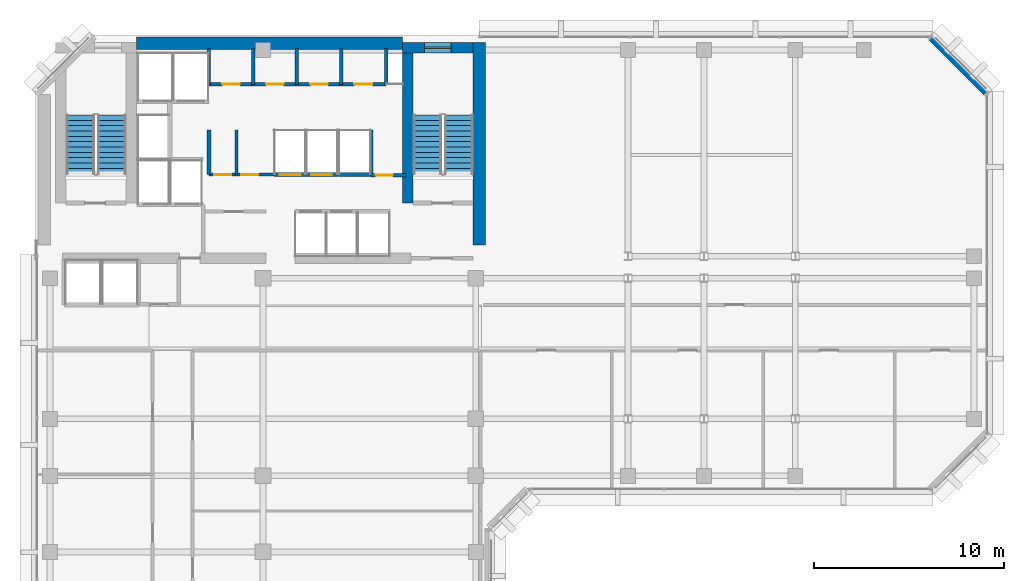
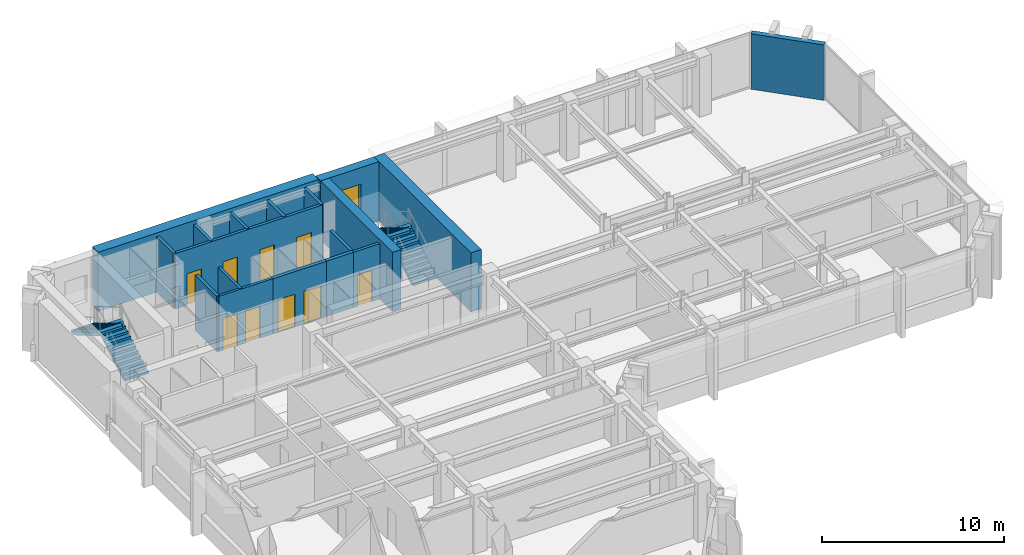
# One storey, part 8 of 12: 18 walls, 9 doors, 4 stair flights, 1 window, 10 openings, 2 elements without a shape of their own.
"""IFC4 building model written with IfcOpenShell, lengths in metres."""

from ifc_helpers import new_model, si_unit, direction, frame, frame_2d, origin, place, context, subcontext, project, spatial, polyline, rectangle, outline, extrude, material, layer, layer_set, type_object, element, fill, aggregate, save


model = new_model("IFC4")

# Units and contexts
model_context = context("Model", 3, precision=1e-05, world=origin(), true_north=direction((0.0, 1.0)))
body_context = subcontext(model_context, "Body", "Model", "MODEL_VIEW")
ifc_project = project(units=[si_unit("LENGTHUNIT", "METRE"), si_unit("AREAUNIT", "SQUARE_METRE"), si_unit("VOLUMEUNIT", "CUBIC_METRE"), si_unit("PLANEANGLEUNIT", "RADIAN"), si_unit("MASSUNIT", "GRAM", prefix="KILO")], contexts=[model_context])

# Site, building, storey
site_placement = place(None, origin())
site = spatial("IfcSite", under=ifc_project, at=site_placement, CompositionType="ELEMENT")
building_placement = place(site_placement, origin())
building = spatial("IfcBuilding", under=site, at=building_placement, Name="Kefirva Bronze Tower", CompositionType="ELEMENT")
storey_placement = place(building_placement, frame((0.0, 0.0, 195.360107421875)))
storey = spatial("IfcBuildingStorey", under=building, at=storey_placement, Name="L47", CompositionType="ELEMENT", Elevation=195.360107421875)

# Walls
ifc_material_1 = material(Name="Gypsum fireboard shaftwall")
ifc_layer_1 = layer(ifc_material_1, 0.219970703125, Name="Gypsum fireboard shaftwall")
ifc_layer_set_1 = layer_set([ifc_layer_1], Name="Gypsum fireboard shaftwall")
wall_type_1 = type_object("IfcWallType", Name="Fire-Rated Shaft Enclosure Wall 220mm", PredefinedType="PARTITIONING", material=ifc_layer_set_1)
for number, where, z_axis, x_axis, name in (
    (1, (9.159912109375, 38.64990234375, 0.0), (0.0, 0.0, 1.0), (0.0, 1.0, 0.0), "L47 Partition W-L47-LP3W"),
    (2, (17.679931640625, 38.64990234375, 0.0), (0.0, 0.0, 1.0), (0.0, 1.0, 0.0), "L47 Partition W-L47-HP2E"),
):
    element("IfcWall", number, at=place(storey_placement, frame(where, z_axis=z_axis, x_axis=x_axis)), inside=storey, type_object=wall_type_1, Name=name, PredefinedType="PARTITIONING", context=body_context, shape_type="SweptSolid", body=[
        extrude(rectangle(XDim=2.35009765625, YDim=0.199951171875, at=frame_2d((1.175048828125, 0.0))), origin(), (0.0, 0.0, 1.0), 3.7099609375),
    ])

# Wall, openings, doors
wall_1_placement = place(storey_placement, frame((12.580078125, 38.64990234375, 0.0), z_axis=(0.0, 0.0, 1.0), x_axis=(1.0, 0.0, 0.0)))
wall_1 = element("IfcWall", 3, at=wall_1_placement, inside=storey, type_object=wall_type_1, Name="L47 Partition W-L47-MPN", PredefinedType="PARTITIONING", context=body_context, shape_type="SweptSolid", body=[
    extrude(rectangle(XDim=3.3798828125, YDim=0.219970703125, at=frame_2d((1.68994140625, 0.0))), origin(), (0.0, 0.0, 1.0), 3.7099609375),
])
opening_1_placement = place(wall_1_placement, frame((0.300048828125, 0.0, 0.0)))
opening_1 = element("IfcOpeningElement", 4, at=opening_1_placement, cuts=wall_1, Name="Opening L47-LD-MP3", PredefinedType="OPENING", context=body_context, shape_type="SweptSolid", body=[
    extrude(rectangle(XDim=1.10009765625, YDim=2.199951171875, at=frame_2d((0.550048828125, 1.10009765625))), frame((0.0, 0.1201171875, 0.0), z_axis=(0.0, -1.0, 0.0), x_axis=(1.0, 0.0, 0.0)), (0.0, 0.0, 1.0), 0.239990234375),
])
opening_2_placement = place(wall_1_placement, frame((1.949951171875, 0.0, 0.0)))
opening_2 = element("IfcOpeningElement", 5, at=opening_2_placement, cuts=wall_1, Name="Opening L47-LD-MP4", PredefinedType="OPENING", context=body_context, shape_type="SweptSolid", body=[
    extrude(rectangle(XDim=1.10009765625, YDim=2.199951171875, at=frame_2d((0.550048828125, 1.10009765625))), frame((0.0, 0.1201171875, 0.0), z_axis=(0.0, -1.0, 0.0), x_axis=(1.0, 0.0, 0.0)), (0.0, 0.0, 1.0), 0.239990234375),
])
ifc_material_2 = material(Name="Stainless steel 316", Category="steel")
door_type_1 = type_object("IfcDoorType", Name="Passenger Lift Sliding Landing Door 1100x2200", OperationType="SLIDING_TO_LEFT", PredefinedType="DOOR", material=ifc_material_2)
door_1_placement = place(opening_1_placement, origin())
door_1 = element("IfcDoor", 6, at=door_1_placement, inside=storey, type_object=door_type_1, Name="Door L47-LD-MP3", OperationType="SLIDING_TO_RIGHT", OverallHeight=2.199951171875, OverallWidth=1.10009765625, PredefinedType="DOOR", context=body_context, shape_type="SweptSolid", body=[
    extrude(rectangle(XDim=1.10009765625, YDim=2.199951171875, at=frame_2d((0.550048828125, 1.10009765625))), frame((0.0, 0.02490234375, 0.0), z_axis=(0.0, -1.0, 0.0), x_axis=(1.0, 0.0, 0.0)), (0.0, 0.0, 1.0), 0.050048828125),
])
fill(opening_1, door_1)
door_2_placement = place(opening_2_placement, origin())
door_2 = element("IfcDoor", 7, at=door_2_placement, inside=storey, type_object=door_type_1, Name="Door L47-LD-MP4", OperationType="SLIDING_TO_RIGHT", OverallHeight=2.199951171875, OverallWidth=1.10009765625, PredefinedType="DOOR", context=body_context, shape_type="SweptSolid", body=[
    extrude(rectangle(XDim=1.10009765625, YDim=2.199951171875, at=frame_2d((0.550048828125, 1.10009765625))), frame((0.0, 0.02490234375, 0.0), z_axis=(0.0, -1.0, 0.0), x_axis=(1.0, 0.0, 0.0)), (0.0, 0.0, 1.0), 0.050048828125),
])
fill(opening_2, door_2)

# Wall
wall_2_placement = place(storey_placement, frame((15.97998046875, 38.64990234375, 0.0), z_axis=(0.0, 0.0, 1.0), x_axis=(1.0, 0.0, 0.0)))
element("IfcWall", 8, at=wall_2_placement, inside=storey, type_object=wall_type_1, Name="L47 Partition W-L47-HPN", PredefinedType="PARTITIONING", context=body_context, shape_type="SweptSolid", body=[
    extrude(rectangle(XDim=1.719970703125, YDim=0.219970703125, at=frame_2d((0.85986328125, 0.0))), origin(), (0.0, 0.0, 1.0), 3.7099609375),
])

# Wall, opening, door
ifc_material_3 = material(Name="Gypsum fireboard barrier")
ifc_layer_2 = layer(ifc_material_3, 0.199951171875, Name="Gypsum fireboard barrier")
ifc_layer_set_2 = layer_set([ifc_layer_2], Name="Gypsum fireboard barrier")
wall_type_2 = type_object("IfcWallType", Name="Firefighting Lobby Barrier Wall 200mm", PredefinedType="PARTITIONING", material=ifc_layer_set_2)
wall_3_placement = place(storey_placement, frame((17.679931640625, 38.6201171875, 0.0), z_axis=(0.0, 0.0, 1.0), x_axis=(1.0, 0.0, 0.0)))
wall_3 = element("IfcWall", 9, at=wall_3_placement, inside=storey, type_object=wall_type_2, Name="L47 Partition W-L47-CPASS", PredefinedType="PARTITIONING", context=body_context, shape_type="SweptSolid", body=[
    extrude(rectangle(XDim=1.840087890625, YDim=0.179931640625, at=frame_2d((0.919921875, 0.0))), origin(), (0.0, 0.0, 1.0), 3.7099609375),
])
opening_3_placement = place(wall_3_placement, frame((0.239990234375, 0.0, 0.0)))
opening_3 = element("IfcOpeningElement", 10, at=opening_3_placement, cuts=wall_3, Name="Opening L47-D-CPAS", PredefinedType="OPENING", context=body_context, shape_type="SweptSolid", body=[
    extrude(rectangle(XDim=0.919921875, YDim=2.10009765625, at=frame_2d((0.4599609375, 1.050048828125))), frame((0.0, 0.10009765625, 0.0), z_axis=(0.0, -1.0, 0.0), x_axis=(1.0, 0.0, 0.0)), (0.0, 0.0, 1.0), 0.199951171875),
])
ifc_material_4 = material(Name="Moisture-resistant timber", Category="wood")
door_type_2 = type_object("IfcDoorType", Name="Accessible Sanitary & WC Door 920x2100", OperationType="NOTDEFINED", PredefinedType="DOOR", material=ifc_material_4)
door_3_placement = place(opening_3_placement, origin())
door_3 = element("IfcDoor", 11, at=door_3_placement, inside=storey, type_object=door_type_2, Name="Door L47-D-CPAS", OperationType="SINGLE_SWING_LEFT", OverallHeight=2.10009765625, OverallWidth=0.919921875, PredefinedType="DOOR", context=body_context, shape_type="SweptSolid", body=[
    extrude(rectangle(XDim=0.919921875, YDim=2.10009765625, at=frame_2d((0.4599609375, 1.050048828125))), frame((0.0, 0.02490234375, 0.0), z_axis=(0.0, -1.0, 0.0), x_axis=(1.0, 0.0, 0.0)), (0.0, 0.0, 1.0), 0.050048828125),
])
fill(opening_3, door_3)

# Wall
ifc_material_5 = material(Name="Precast concrete C40/50", Category="concrete")
ifc_layer_3 = layer(ifc_material_5, 0.320068359375, Name="Precast concrete C40/50")
ifc_layer_set_3 = layer_set([ifc_layer_3], Name="Precast concrete C40/50")
wall_type_3 = type_object("IfcWallType", Name="Precast Insulated Exterior Wall 320mm", PredefinedType="SOLIDWALL", material=ifc_layer_set_3)
wall_4_placement = place(storey_placement, frame((50.048095703125, 42.92578125, 0.0), z_axis=(0.0, 0.0, 1.0), x_axis=(-0.707136318428, 0.707077242712, 0.0)))
element("IfcWall", 12, at=wall_4_placement, inside=storey, type_object=wall_type_3, Name="L47 Exterior Facade Wall 5", PredefinedType="SOLIDWALL", context=body_context, shape_type="SweptSolid", body=[
    extrude(rectangle(XDim=4.132568359375, YDim=0.320068359375, at=frame_2d((2.06640625, 0.0))), origin(), (0.0, 0.0, 1.0), 3.7099609375),
])

# Wall, openings, doors
ifc_material_6 = material(Name="Gypsum acoustic partition")
ifc_layer_4 = layer(ifc_material_6, 0.159912109375, Name="Gypsum acoustic partition")
ifc_layer_set_4 = layer_set([ifc_layer_4], Name="Gypsum acoustic partition")
wall_type_4 = type_object("IfcWallType", Name="Protected Corridor Partition 160mm", PredefinedType="PARTITIONING", material=ifc_layer_set_4)
wall_5_placement = place(storey_placement, frame((9.159912109375, 38.64990234375, 0.0), z_axis=(0.0, 0.0, 1.0), x_axis=(1.0, 0.0, 0.0)))
wall_5 = element("IfcWall", 13, at=wall_5_placement, inside=storey, type_object=wall_type_4, Name="L47 Partition W-L47-RECLP2", PredefinedType="PARTITIONING", context=body_context, shape_type="SweptSolid", body=[
    extrude(rectangle(XDim=3.420166015625, YDim=0.159912109375, at=frame_2d((1.7099609375, 0.0))), origin(), (0.0, 0.0, 1.0), 3.7099609375),
])
opening_4_placement = place(wall_5_placement, frame((1.179931640625, 0.0, 0.0), z_axis=(0.0, 0.0, 1.0), x_axis=(-1.0, 0.0, 0.0)))
opening_4 = element("IfcOpeningElement", 14, at=opening_4_placement, cuts=wall_5, Name="Opening L47-D-RECLP2A", PredefinedType="OPENING", context=body_context, shape_type="SweptSolid", body=[
    extrude(rectangle(XDim=0.89990234375, YDim=2.14990234375, at=frame_2d((0.449951171875, 1.074951171875))), frame((0.0, 0.08984375, 0.0), z_axis=(0.0, -1.0, 0.0), x_axis=(1.0, 0.0, 0.0)), (0.0, 0.0, 1.0), 0.179931640625),
])
opening_5_placement = place(wall_5_placement, frame((2.599853515625, 0.0, 0.0), z_axis=(0.0, 0.0, 1.0), x_axis=(-1.0, 0.0, 0.0)))
opening_5 = element("IfcOpeningElement", 15, at=opening_5_placement, cuts=wall_5, Name="Opening L47-D-RECLP2B", PredefinedType="OPENING", context=body_context, shape_type="SweptSolid", body=[
    extrude(rectangle(XDim=0.89990234375, YDim=2.14990234375, at=frame_2d((0.449951171875, 1.074951171875))), frame((0.0, 0.08984375, 0.0), z_axis=(0.0, -1.0, 0.0), x_axis=(1.0, 0.0, 0.0)), (0.0, 0.0, 1.0), 0.179931640625),
])
ifc_material_7 = material(Name="Painted galvanized steel", Category="steel")
door_type_3 = type_object("IfcDoorType", Name="Core Archive & Server Fire Door 900x2150 FD60S", OperationType="NOTDEFINED", PredefinedType="DOOR", material=ifc_material_7)
door_4_placement = place(opening_4_placement, origin())
door_4 = element("IfcDoor", 16, at=door_4_placement, inside=storey, type_object=door_type_3, Name="Door L47-D-RECLP2A", OperationType="SINGLE_SWING_RIGHT", OverallHeight=2.14990234375, OverallWidth=0.89990234375, PredefinedType="DOOR", context=body_context, shape_type="SweptSolid", body=[
    extrude(rectangle(XDim=0.89990234375, YDim=2.14990234375, at=frame_2d((0.449951171875, 1.074951171875))), frame((0.0, 0.02490234375, 0.0), z_axis=(0.0, -1.0, 0.0), x_axis=(1.0, 0.0, 0.0)), (0.0, 0.0, 1.0), 0.050048828125),
])
fill(opening_4, door_4)
door_5_placement = place(opening_5_placement, origin())
door_5 = element("IfcDoor", 17, at=door_5_placement, inside=storey, type_object=door_type_3, Name="Door L47-D-RECLP2B", OperationType="SINGLE_SWING_LEFT", OverallHeight=2.14990234375, OverallWidth=0.89990234375, PredefinedType="DOOR", context=body_context, shape_type="SweptSolid", body=[
    extrude(rectangle(XDim=0.89990234375, YDim=2.14990234375, at=frame_2d((0.449951171875, 1.074951171875))), frame((0.0, 0.02490234375, 0.0), z_axis=(0.0, -1.0, 0.0), x_axis=(1.0, 0.0, 0.0)), (0.0, 0.0, 1.0), 0.050048828125),
])
fill(opening_5, door_5)

# Wall
wall_6_placement = place(storey_placement, frame((10.60009765625, 38.64990234375, 0.0), z_axis=(0.0, 0.0, 1.0), x_axis=(0.0, 1.0, 0.0)))
element("IfcWall", 18, at=wall_6_placement, inside=storey, type_object=wall_type_4, Name="L47 Partition W-L47-RECLP2D", PredefinedType="PARTITIONING", context=body_context, shape_type="SweptSolid", body=[
    extrude(rectangle(XDim=2.35009765625, YDim=0.159912109375, at=frame_2d((1.175048828125, 0.0))), origin(), (0.0, 0.0, 1.0), 3.7099609375),
])

# Wall, opening, window
ifc_material_8 = material(Name="Concrete C50/60", Category="concrete")
ifc_layer_5 = layer(ifc_material_8, 0.550048828125, Name="Concrete C50/60")
ifc_layer_set_5 = layer_set([ifc_layer_5], Name="Concrete C50/60")
wall_type_5 = type_object("IfcWallType", Name="RC Rear Core Exterior Wall 550mm", PredefinedType="SHEAR", material=ifc_layer_set_5)
wall_7_placement = place(storey_placement, frame((19.35009765625, 45.320068359375, 0.0), z_axis=(0.0, 0.0, 1.0), x_axis=(1.0, 0.0, 0.0)))
wall_7 = element("IfcWall", 19, at=wall_7_placement, inside=storey, type_object=wall_type_5, Name="L47 Stair 2 North Shear Wall", PredefinedType="SHEAR", context=body_context, shape_type="SweptSolid", body=[
    extrude(rectangle(XDim=3.68994140625, YDim=0.550048828125, at=frame_2d((1.844970703125, 0.0))), origin(), (0.0, 0.0, 1.0), 3.9599609375),
])
opening_6_placement = place(wall_7_placement, frame((1.14990234375, 0.0, 1.050048828125)))
opening_6 = element("IfcOpeningElement", 20, at=opening_6_placement, cuts=wall_7, Name="Opening WN-03", PredefinedType="OPENING", context=body_context, shape_type="SweptSolid", body=[
    extrude(rectangle(XDim=1.39990234375, YDim=1.800048828125, at=frame_2d((0.699951171875, 0.89990234375))), frame((0.0, 0.28515625, 0.0), z_axis=(0.0, -1.0, 0.0), x_axis=(1.0, 0.0, 0.0)), (0.0, 0.0, 1.0), 0.570068359375),
])
ifc_material_9 = material(Name="Laminated low-E double glazing", Category="glass")
window_type = type_object("IfcWindowType", Name="Rear-Core Stair Daylight Window 1400x1800", PartitioningType="SINGLE_PANEL", PredefinedType="WINDOW", material=ifc_material_9)
window_placement = place(opening_6_placement, origin())
window = element("IfcWindow", 21, at=window_placement, inside=storey, type_object=window_type, Name="L47 Stair 2 Daylight Window", OverallHeight=1.800048828125, OverallWidth=1.39990234375, PartitioningType="SINGLE_PANEL", PredefinedType="WINDOW", context=body_context, shape_type="SweptSolid", body=[
    extrude(rectangle(XDim=1.39990234375, YDim=1.800048828125, at=frame_2d((0.699951171875, 0.89990234375))), frame((0.0, 0.030029296875, 0.0), z_axis=(0.0, -1.0, 0.0), x_axis=(1.0, 0.0, 0.0)), (0.0, 0.0, 1.0), 0.06005859375),
])
fill(opening_6, window)

# Walls
ifc_layer_6 = layer(ifc_material_8, 0.64990234375, Name="Concrete C50/60")
ifc_layer_set_6 = layer_set([ifc_layer_6], Name="Concrete C50/60")
wall_type_6 = type_object("IfcWallType", Name="RC Rear Core Exterior Wall 650mm", PredefinedType="SHEAR", material=ifc_layer_set_6)
wall_8_placement = place(storey_placement, frame((5.360107421875, 45.550048828125, 0.0), z_axis=(0.0, 0.0, 1.0), x_axis=(1.0, 0.0, 0.0)))
element("IfcWall", 22, at=wall_8_placement, inside=storey, type_object=wall_type_6, Name="L47 Rear Core North Shear Wall", PredefinedType="SHEAR", context=body_context, shape_type="SweptSolid", body=[
    extrude(rectangle(XDim=13.97998046875, YDim=0.64990234375, at=frame_2d((6.989990234375, 0.0))), origin(), (0.0, 0.0, 1.0), 3.9599609375),
])
ifc_layer_7 = layer(ifc_material_8, 0.550048828125, Name="Concrete C50/60")
ifc_layer_set_7 = layer_set([ifc_layer_7], Name="Concrete C50/60")
wall_type_7 = type_object("IfcWallType", Name="RC Rear Core Interior Wall 550mm", PredefinedType="SHEAR", material=ifc_layer_set_7)
wall_9_placement = place(storey_placement, frame((19.6201171875, 37.14990234375, 0.0), z_axis=(0.0, 0.0, 1.0), x_axis=(0.0, 1.0, 0.0)))
element("IfcWall", 23, at=wall_9_placement, inside=storey, type_object=wall_type_7, Name="L47 Stair 2 West Shear Wall", PredefinedType="SHEAR", context=body_context, shape_type="SweptSolid", body=[
    extrude(rectangle(XDim=7.89013671875, YDim=0.550048828125, at=frame_2d((3.945068359375, 0.0))), origin(), (0.0, 0.0, 1.0), 3.9599609375),
])
ifc_layer_8 = layer(ifc_material_8, 0.64990234375, Name="Concrete C50/60")
ifc_layer_set_8 = layer_set([ifc_layer_8], Name="Concrete C50/60")
wall_type_8 = type_object("IfcWallType", Name="RC Rear Core Interior Wall 650mm", PredefinedType="SHEAR", material=ifc_layer_set_8)
wall_10_placement = place(storey_placement, frame((23.375, 34.949951171875, 0.0), z_axis=(0.0, 0.0, 1.0), x_axis=(0.0, 1.0, 0.0)))
element("IfcWall", 24, at=wall_10_placement, inside=storey, type_object=wall_type_8, Name="L47 Rear Core East Shear Wall", PredefinedType="SHEAR", context=body_context, shape_type="SweptSolid", body=[
    extrude(rectangle(XDim=10.64013671875, YDim=0.64990234375, at=frame_2d((5.320068359375, 0.0))), origin(), (0.0, 0.0, 1.0), 3.9599609375),
])

# Wall, openings, doors
ifc_material_10 = material(Name="Moisture-resistant partition")
ifc_layer_9 = layer(ifc_material_10, 0.179931640625, Name="Moisture-resistant partition")
ifc_layer_set_9 = layer_set([ifc_layer_9], Name="Moisture-resistant partition")
wall_type_9 = type_object("IfcWallType", Name="Sanitary Plumbing Chase Wall 180mm", PredefinedType="PLUMBINGWALL", material=ifc_layer_set_9)
wall_11_placement = place(storey_placement, frame((9.14990234375, 43.39990234375, 0.0), z_axis=(0.0, 0.0, 1.0), x_axis=(1.0, 0.0, 0.0)))
wall_11 = element("IfcWall", 25, at=wall_11_placement, inside=storey, type_object=wall_type_9, Name="L47 Partition W-L47-SVCS", PredefinedType="PLUMBINGWALL", context=body_context, shape_type="SweptSolid", body=[
    extrude(rectangle(XDim=9.330078125, YDim=0.179931640625, at=frame_2d((4.6650390625, 0.0))), origin(), (0.0, 0.0, 1.0), 3.7099609375),
])
opening_7_placement = place(wall_11_placement, frame((0.719970703125, 0.0, 0.0)))
opening_7 = element("IfcOpeningElement", 26, at=opening_7_placement, cuts=wall_11, Name="Opening L47-D-CSVC1", PredefinedType="OPENING", context=body_context, shape_type="SweptSolid", body=[
    extrude(rectangle(XDim=0.919921875, YDim=2.10009765625, at=frame_2d((0.4599609375, 1.050048828125))), frame((0.0, 0.10009765625, 0.0), z_axis=(0.0, -1.0, 0.0), x_axis=(1.0, 0.0, 0.0)), (0.0, 0.0, 1.0), 0.199951171875),
])
opening_8_placement = place(wall_11_placement, frame((3.02001953125, 0.0, 0.0)))
opening_8 = element("IfcOpeningElement", 27, at=opening_8_placement, cuts=wall_11, Name="Opening L47-D-CSVC2", PredefinedType="OPENING", context=body_context, shape_type="SweptSolid", body=[
    extrude(rectangle(XDim=0.919921875, YDim=2.10009765625, at=frame_2d((0.4599609375, 1.050048828125))), frame((0.0, 0.10009765625, 0.0), z_axis=(0.0, -1.0, 0.0), x_axis=(1.0, 0.0, 0.0)), (0.0, 0.0, 1.0), 0.199951171875),
])
opening_9_placement = place(wall_11_placement, frame((5.340087890625, 0.0, 0.0)))
opening_9 = element("IfcOpeningElement", 28, at=opening_9_placement, cuts=wall_11, Name="Opening L47-D-CSVC3", PredefinedType="OPENING", context=body_context, shape_type="SweptSolid", body=[
    extrude(rectangle(XDim=0.919921875, YDim=2.10009765625, at=frame_2d((0.4599609375, 1.050048828125))), frame((0.0, 0.10009765625, 0.0), z_axis=(0.0, -1.0, 0.0), x_axis=(1.0, 0.0, 0.0)), (0.0, 0.0, 1.0), 0.199951171875),
])
opening_10_placement = place(wall_11_placement, frame((7.659912109375, 0.0, 0.0)))
opening_10 = element("IfcOpeningElement", 29, at=opening_10_placement, cuts=wall_11, Name="Opening L47-D-CSVC4", PredefinedType="OPENING", context=body_context, shape_type="SweptSolid", body=[
    extrude(rectangle(XDim=0.949951171875, YDim=2.10009765625, at=frame_2d((0.47509765625, 1.050048828125))), frame((0.0, 0.10009765625, 0.0), z_axis=(0.0, -1.0, 0.0), x_axis=(1.0, 0.0, 0.0)), (0.0, 0.0, 1.0), 0.199951171875),
])
door_6_placement = place(opening_7_placement, origin())
door_6 = element("IfcDoor", 30, at=door_6_placement, inside=storey, type_object=door_type_2, Name="Door L47-D-CSVC1", OperationType="SINGLE_SWING_RIGHT", OverallHeight=2.10009765625, OverallWidth=0.919921875, PredefinedType="DOOR", context=body_context, shape_type="SweptSolid", body=[
    extrude(rectangle(XDim=0.919921875, YDim=2.10009765625, at=frame_2d((0.4599609375, 1.050048828125))), frame((0.0, 0.02490234375, 0.0), z_axis=(0.0, -1.0, 0.0), x_axis=(1.0, 0.0, 0.0)), (0.0, 0.0, 1.0), 0.050048828125),
])
fill(opening_7, door_6)
door_7_placement = place(opening_8_placement, origin())
door_7 = element("IfcDoor", 31, at=door_7_placement, inside=storey, type_object=door_type_2, Name="Door L47-D-CSVC2", OperationType="SINGLE_SWING_LEFT", OverallHeight=2.10009765625, OverallWidth=0.919921875, PredefinedType="DOOR", context=body_context, shape_type="SweptSolid", body=[
    extrude(rectangle(XDim=0.919921875, YDim=2.10009765625, at=frame_2d((0.4599609375, 1.050048828125))), frame((0.0, 0.02490234375, 0.0), z_axis=(0.0, -1.0, 0.0), x_axis=(1.0, 0.0, 0.0)), (0.0, 0.0, 1.0), 0.050048828125),
])
fill(opening_8, door_7)
door_8_placement = place(opening_9_placement, origin())
door_8 = element("IfcDoor", 32, at=door_8_placement, inside=storey, type_object=door_type_2, Name="Door L47-D-CSVC3", OperationType="SINGLE_SWING_RIGHT", OverallHeight=2.10009765625, OverallWidth=0.919921875, PredefinedType="DOOR", context=body_context, shape_type="SweptSolid", body=[
    extrude(rectangle(XDim=0.919921875, YDim=2.10009765625, at=frame_2d((0.4599609375, 1.050048828125))), frame((0.0, 0.02490234375, 0.0), z_axis=(0.0, -1.0, 0.0), x_axis=(1.0, 0.0, 0.0)), (0.0, 0.0, 1.0), 0.050048828125),
])
fill(opening_9, door_8)
door_type_4 = type_object("IfcDoorType", Name="Riser & Plant Shaft Fire Door 950x2100 FD60S", OperationType="NOTDEFINED", PredefinedType="DOOR", material=ifc_material_7)
door_9_placement = place(opening_10_placement, origin())
door_9 = element("IfcDoor", 33, at=door_9_placement, inside=storey, type_object=door_type_4, Name="Door L47-D-CSVC4", OperationType="SINGLE_SWING_LEFT", OverallHeight=2.10009765625, OverallWidth=0.949951171875, PredefinedType="DOOR", context=body_context, shape_type="SweptSolid", body=[
    extrude(rectangle(XDim=0.949951171875, YDim=2.10009765625, at=frame_2d((0.47509765625, 1.050048828125))), frame((0.0, 0.02490234375, 0.0), z_axis=(0.0, -1.0, 0.0), x_axis=(1.0, 0.0, 0.0)), (0.0, 0.0, 1.0), 0.050048828125),
])
fill(opening_10, door_9)

# Walls
for number, where, z_axis, x_axis, name in (
    (34, (9.14990234375, 43.39990234375, 0.0), (0.0, 0.0, 1.0), (0.0, 1.0, 0.0), "L47 Partition W-L47-SVCW"),
    (35, (18.47998046875, 43.39990234375, 0.0), (0.0, 0.0, 1.0), (0.0, 1.0, 0.0), "L47 Partition W-L47-SVCE"),
    (36, (11.47998046875, 43.39990234375, 0.0), (0.0, 0.0, 1.0), (0.0, 1.0, 0.0), "L47 Partition W-L47-CSVD-1"),
    (37, (13.780029296875, 43.39990234375, 0.0), (0.0, 0.0, 1.0), (0.0, 1.0, 0.0), "L47 Partition W-L47-CSVD-2"),
    (38, (16.1201171875, 43.39990234375, 0.0), (0.0, 0.0, 1.0), (0.0, 1.0, 0.0), "L47 Partition W-L47-CSVD-3"),
):
    element("IfcWall", number, at=place(storey_placement, frame(where, z_axis=z_axis, x_axis=x_axis)), inside=storey, type_object=wall_type_9, Name=name, PredefinedType="PLUMBINGWALL", context=body_context, shape_type="SweptSolid", body=[
        extrude(rectangle(XDim=1.880126953125, YDim=0.179931640625, at=frame_2d((0.93994140625, 0.0))), origin(), (0.0, 0.0, 1.0), 3.7099609375),
    ])

# Stair, stair flights
ifc_material_11 = material(Name="Concrete C40/50", Category="concrete")
stair_type = type_object("IfcStairType", Name="RC Dogleg Protected Stair 24R", PredefinedType="HALF_TURN_STAIR", material=ifc_material_11)
stair_1_placement = place(storey_placement, origin())
stair_1 = element("IfcStair", 39, at=stair_1_placement, inside=storey, type_object=stair_type, Name="L47 Protected Exit Stair 1", PredefinedType="HALF_TURN_STAIR")
stair_flight_type = type_object("IfcStairFlightType", Name="RC Straight Stair Flight 24R", PredefinedType="STRAIGHT", material=ifc_material_11)
stair_flight_1_placement = place(storey_placement, frame((4.050048828125, 38.699951171875, 0.0), z_axis=(0.0, 0.0, 1.0), x_axis=(0.0, 1.0, 0.0)))
stair_flight_1 = element("IfcStairFlight", 40, at=stair_flight_1_placement, type_object=stair_flight_type, Name="ST-1 flight 1", NumberOfRisers=12, NumberOfTreads=11, PredefinedType="STRAIGHT", RiserHeight=0.165, TreadLength=0.28, context=body_context, shape_type="SweptSolid", body=[
    extrude(outline(polyline([(0.0, 0.0), (0.0, 0.1650390625), (0.280029296875, 0.1650390625), (0.280029296875, 0.330078125), (0.56005859375, 0.330078125), (0.56005859375, 0.4951171875), (0.840087890625, 0.4951171875), (0.840087890625, 0.659912109375), (1.1201171875, 0.659912109375), (1.1201171875, 0.824951171875), (1.39990234375, 0.824951171875), (1.39990234375, 0.989990234375), (1.679931640625, 0.989990234375), (1.679931640625, 1.155029296875), (1.9599609375, 1.155029296875), (1.9599609375, 1.320068359375), (2.239990234375, 1.320068359375), (2.239990234375, 1.485107421875), (2.52001953125, 1.485107421875), (2.52001953125, 1.64990234375), (2.800048828125, 1.64990234375), (2.800048828125, 1.81494140625), (3.080078125, 1.81494140625), (3.080078125, 1.97998046875), (3.080078125, 1.64111328125), (0.295166015625, 0.0), (0.0, 0.0)])), frame((0.0, 0.75, 0.0), z_axis=(0.0, -1.0, 0.0), x_axis=(1.0, 0.0, 0.0)), (0.0, 0.0, 1.0), 1.5),
])
stair_flight_2_placement = place(storey_placement, frame((2.39990234375, 41.780029296875, 1.97998046875), z_axis=(0.0, 0.0, 1.0), x_axis=(0.0, -1.0, 0.0)))
stair_flight_2 = element("IfcStairFlight", 41, at=stair_flight_2_placement, type_object=stair_flight_type, Name="ST-1 flight 2", NumberOfRisers=12, NumberOfTreads=11, PredefinedType="STRAIGHT", RiserHeight=0.165, TreadLength=0.28, context=body_context, shape_type="SweptSolid", body=[
    extrude(outline(polyline([(0.0, 0.0), (0.0, 0.1650390625), (0.280029296875, 0.1650390625), (0.280029296875, 0.330078125), (0.56005859375, 0.330078125), (0.56005859375, 0.4951171875), (0.840087890625, 0.4951171875), (0.840087890625, 0.659912109375), (1.1201171875, 0.659912109375), (1.1201171875, 0.824951171875), (1.39990234375, 0.824951171875), (1.39990234375, 0.989990234375), (1.679931640625, 0.989990234375), (1.679931640625, 1.155029296875), (1.9599609375, 1.155029296875), (1.9599609375, 1.320068359375), (2.239990234375, 1.320068359375), (2.239990234375, 1.485107421875), (2.52001953125, 1.485107421875), (2.52001953125, 1.64990234375), (2.800048828125, 1.64990234375), (2.800048828125, 1.81494140625), (3.080078125, 1.81494140625), (3.080078125, 1.97998046875), (3.080078125, 1.64111328125), (0.295166015625, 0.0), (0.0, 0.0)])), frame((0.0, 0.75, 0.0), z_axis=(0.0, -1.0, 0.0), x_axis=(1.0, 0.0, 0.0)), (0.0, 0.0, 1.0), 1.5),
])
aggregate(stair_1, [stair_flight_1, stair_flight_2])

stair_2_placement = place(storey_placement, origin())
stair_2 = element("IfcStair", 42, at=stair_2_placement, inside=storey, type_object=stair_type, Name="L47 Protected Exit Stair 2", PredefinedType="HALF_TURN_STAIR")
stair_flight_3_placement = place(storey_placement, frame((22.300048828125, 38.699951171875, 0.0), z_axis=(0.0, 0.0, 1.0), x_axis=(0.0, 1.0, 0.0)))
stair_flight_3 = element("IfcStairFlight", 43, at=stair_flight_3_placement, type_object=stair_flight_type, Name="ST-2 flight 1", NumberOfRisers=12, NumberOfTreads=11, PredefinedType="STRAIGHT", RiserHeight=0.165, TreadLength=0.28, context=body_context, shape_type="SweptSolid", body=[
    extrude(outline(polyline([(0.0, 0.0), (0.0, 0.1650390625), (0.280029296875, 0.1650390625), (0.280029296875, 0.330078125), (0.56005859375, 0.330078125), (0.56005859375, 0.4951171875), (0.840087890625, 0.4951171875), (0.840087890625, 0.659912109375), (1.1201171875, 0.659912109375), (1.1201171875, 0.824951171875), (1.39990234375, 0.824951171875), (1.39990234375, 0.989990234375), (1.679931640625, 0.989990234375), (1.679931640625, 1.155029296875), (1.9599609375, 1.155029296875), (1.9599609375, 1.320068359375), (2.239990234375, 1.320068359375), (2.239990234375, 1.485107421875), (2.52001953125, 1.485107421875), (2.52001953125, 1.64990234375), (2.800048828125, 1.64990234375), (2.800048828125, 1.81494140625), (3.080078125, 1.81494140625), (3.080078125, 1.97998046875), (3.080078125, 1.64111328125), (0.295166015625, 0.0), (0.0, 0.0)])), frame((0.0, 0.75, 0.0), z_axis=(0.0, -1.0, 0.0), x_axis=(1.0, 0.0, 0.0)), (0.0, 0.0, 1.0), 1.5),
])
stair_flight_4_placement = place(storey_placement, frame((20.64990234375, 41.780029296875, 1.97998046875), z_axis=(0.0, 0.0, 1.0), x_axis=(0.0, -1.0, 0.0)))
stair_flight_4 = element("IfcStairFlight", 44, at=stair_flight_4_placement, type_object=stair_flight_type, Name="ST-2 flight 2", NumberOfRisers=12, NumberOfTreads=11, PredefinedType="STRAIGHT", RiserHeight=0.165, TreadLength=0.28, context=body_context, shape_type="SweptSolid", body=[
    extrude(outline(polyline([(0.0, 0.0), (0.0, 0.1650390625), (0.280029296875, 0.1650390625), (0.280029296875, 0.330078125), (0.56005859375, 0.330078125), (0.56005859375, 0.4951171875), (0.840087890625, 0.4951171875), (0.840087890625, 0.659912109375), (1.1201171875, 0.659912109375), (1.1201171875, 0.824951171875), (1.39990234375, 0.824951171875), (1.39990234375, 0.989990234375), (1.679931640625, 0.989990234375), (1.679931640625, 1.155029296875), (1.9599609375, 1.155029296875), (1.9599609375, 1.320068359375), (2.239990234375, 1.320068359375), (2.239990234375, 1.485107421875), (2.52001953125, 1.485107421875), (2.52001953125, 1.64990234375), (2.800048828125, 1.64990234375), (2.800048828125, 1.81494140625), (3.080078125, 1.81494140625), (3.080078125, 1.97998046875), (3.080078125, 1.64111328125), (0.295166015625, 0.0), (0.0, 0.0)])), frame((0.0, 0.75, 0.0), z_axis=(0.0, -1.0, 0.0), x_axis=(1.0, 0.0, 0.0)), (0.0, 0.0, 1.0), 1.5),
])
aggregate(stair_2, [stair_flight_3, stair_flight_4])

save(model, "model.ifc")
